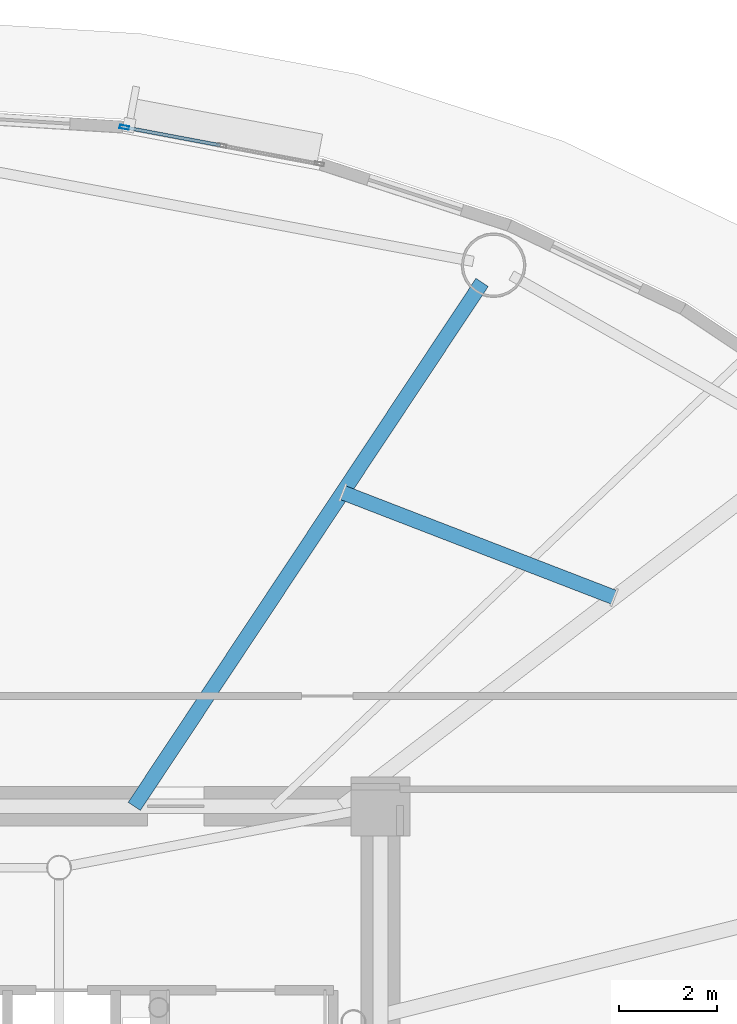
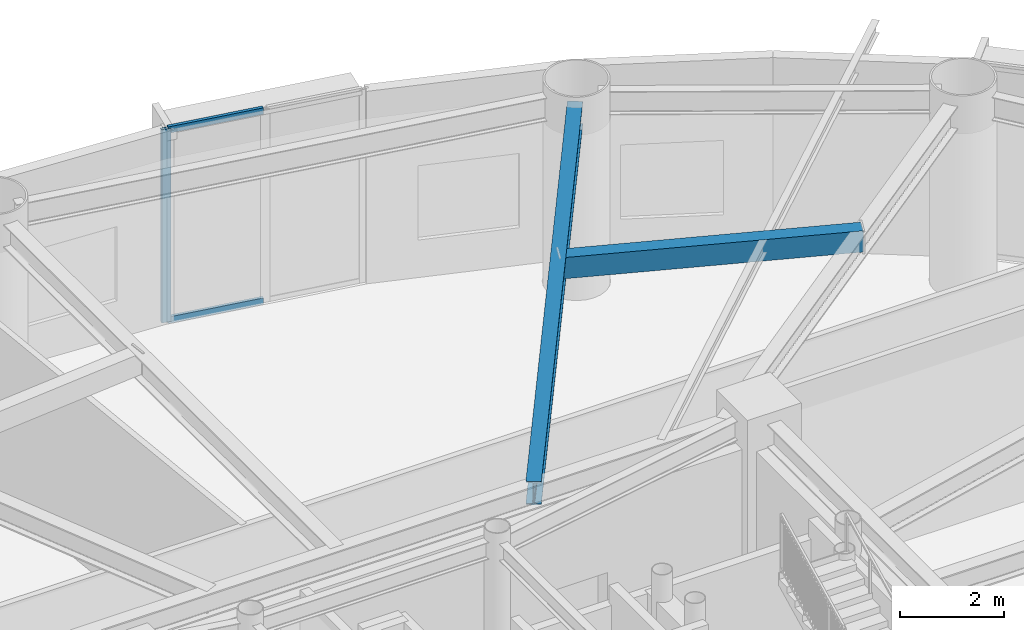
# One storey, part 20 of 38: 3 members, 2 beams, 1 element without a shape of its own.
"""IFC4 building model written with IfcOpenShell, lengths in metres."""

from ifc_helpers import new_model, si_unit, direction, frame, origin, origin_2d, place, context, subcontext, project, spatial, hollow_rectangle, i_section, extrude, source, transform, mapped, material, layer, layer_set, material_profile, profile_set, type_object, element, aggregate, save


model = new_model("IFC4")

# Units and contexts
model_context = context("Model", 3, precision=1e-05, world=origin(), true_north=direction((0.0, 1.0)))
body_context = subcontext(model_context, "Body", "Model", "MODEL_VIEW")
ifc_project = project(units=[si_unit("LENGTHUNIT", "METRE"), si_unit("AREAUNIT", "SQUARE_METRE"), si_unit("VOLUMEUNIT", "CUBIC_METRE"), si_unit("PLANEANGLEUNIT", "RADIAN"), si_unit("MASSUNIT", "GRAM", prefix="KILO")], contexts=[model_context])

# Site, building, storey
site_placement = place(None, origin())
site = spatial("IfcSite", under=ifc_project, at=site_placement, CompositionType="ELEMENT")
building_placement = place(site_placement, origin())
building = spatial("IfcBuilding", under=site, at=building_placement, Name="Linh Dai School and Residence Tower", CompositionType="ELEMENT")
storey_placement = place(building_placement, frame((0.0, 0.0, 151.35009765625)))
storey = spatial("IfcBuildingStorey", under=building, at=storey_placement, Name="L36", CompositionType="ELEMENT", Elevation=151.35009765625)

# Beams
ifc_material_1 = material(Name="Structural Steel S355JR", Category="steel")
ifc_material_profile_1 = material_profile(ifc_material_1, hollow_rectangle(XDim=0.300048828125, YDim=0.5, WallThickness=0.01611328125, at=origin_2d()), Name="RHS 500x300x16")
ifc_profile_set_1 = profile_set([ifc_material_profile_1], Name="Structural Steel S355JR")
beam_type_1 = type_object("IfcBeamType", Name="BM-BX5", PredefinedType="BEAM", material=ifc_profile_set_1)
beam_1_placement = place(storey_placement, frame((50.1640625, 37.860107421875, 4.2998046875), z_axis=(-0.932827710026, 0.360322721193, 0.0), x_axis=(-0.360322721193, -0.932827710026, 0.0)))
element("IfcBeam", 1, at=beam_1_placement, inside=storey, type_object=beam_type_1, Name="L36 Secondary Circumferential Floor Beam 02", PredefinedType="BEAM", context=body_context, shape_type="SweptSolid", body=[
    extrude(hollow_rectangle(XDim=0.300048828125, YDim=0.5, WallThickness=0.01611328125, at=origin_2d()), origin(), (0.0, 0.0, 1.0), 5.927978515625),
])
ifc_material_profile_2 = material_profile(ifc_material_1, i_section(OverallWidth=0.300048828125, OverallDepth=0.550048828125, WebThickness=0.014892578125, FlangeThickness=0.029052734375, FilletRadius=0.027099609375, at=origin_2d()), Name="HEB 550")
ifc_profile_set_2 = profile_set([ifc_material_profile_2], Name="Structural Steel S355JR")
beam_type_2 = type_object("IfcBeamType", Name="BM-RG55", PredefinedType="BEAM", material=ifc_profile_set_2)
beam_2_placement = place(storey_placement, frame((40.3818359375, 33.60009765625, 4.27490234375), z_axis=(0.553117176317, 0.833103468522, 0.0), x_axis=(-0.833103468522, 0.553117176317, 0.0)))
element("IfcBeam", 2, at=beam_2_placement, inside=storey, type_object=beam_type_2, Name="L36 Primary Radial Floor Girder 04", PredefinedType="BEAM", context=body_context, shape_type="SweptSolid", body=[
    extrude(i_section(OverallWidth=0.300048828125, OverallDepth=0.550048828125, WebThickness=0.014892578125, FlangeThickness=0.029052734375, FilletRadius=0.027099609375, at=origin_2d()), origin(), (0.0, 0.0, 1.0), 12.820556640625),
])

# Curtain wall, members
ifc_material_2 = material(Name="Aluminium Anodised Curtain Wall", Category="aluminium")
ifc_layer = layer(ifc_material_2, 0.18994140625)
ifc_layer_set = layer_set([ifc_layer], Name="Aluminium Anodised Curtain Wall")
curtain_wall_type = type_object("IfcCurtainWallType", Name="CW-SYS-5", PredefinedType="USERDEFINED", material=ifc_layer_set)
curtain_wall_placement = place(storey_placement, origin())
curtain_wall = element("IfcCurtainWall", 3, at=curtain_wall_placement, inside=storey, type_object=curtain_wall_type, Name="L36 CW5 Curtain Wall 09", ObjectType="UNITISED CURTAIN WALL", PredefinedType="USERDEFINED")
ifc_material_3 = material(Name="Aluminium Alloy 6063-T6", Category="aluminium")
ifc_material_profile_3 = material_profile(ifc_material_3, hollow_rectangle(XDim=0.070068359375, YDim=0.18994140625, WallThickness=0.00390625, at=origin_2d()), Name="RHS 190x70x4")
ifc_profile_set_3 = profile_set([ifc_material_profile_3], Name="Aluminium Alloy 6063-T6")
member_type_1 = type_object("IfcMemberType", Name="CW-SYS-5-MUL", PredefinedType="MULLION", material=ifc_profile_set_3)
shared_shape_1 = source(origin(), body_context, "Body", "SweptSolid", [
    extrude(hollow_rectangle(XDim=0.070068359375, YDim=0.18994140625, WallThickness=0.00390625, at=origin_2d()), origin(), (0.0, 0.0, 1.0), 4.5498046875),
])
member_1_placement = place(storey_placement, frame((40.18017578125, 47.443115234375, 0.0), z_axis=(0.0, 0.0, 1.0), x_axis=(0.184762540184, 0.982783192645, 0.0)))
member_1 = element("IfcMember", 4, at=member_1_placement, type_object=member_type_1, Name="CW5 mullion 1", PredefinedType="MULLION", context=body_context, shape_type="MappedRepresentation", body=[
    mapped(shared_shape_1, transform((0.0, 0.0, 0.0), x_axis=(1.0, 0.0, 0.0), y_axis=(0.0, 1.0, 0.0), z_axis=(0.0, 0.0, 1.0), scale=1.0)),
])
ifc_material_profile_4 = material_profile(ifc_material_3, hollow_rectangle(XDim=0.070068359375, YDim=0.14990234375, WallThickness=0.00390625, at=origin_2d()), Name="RHS 150x70x4")
ifc_profile_set_4 = profile_set([ifc_material_profile_4], Name="Aluminium Alloy 6063-T6")
member_type_2 = type_object("IfcMemberType", Name="CW-SYS-5-TRN", PredefinedType="USERDEFINED", material=ifc_profile_set_4)
shared_shape_2 = source(origin(), body_context, "Body", "SweptSolid", [
    extrude(hollow_rectangle(XDim=0.070068359375, YDim=0.14990234375, WallThickness=0.00390625, at=origin_2d()), origin(), (0.0, 0.0, 1.0), 1.9521484375),
])
member_2_placement = place(storey_placement, frame((40.214599609375, 47.4365234375, 0.034912109375), z_axis=(0.98278996876, -0.184726493237, 0.0), x_axis=(0.184726493237, 0.98278996876, 0.0)))
member_2 = element("IfcMember", 5, at=member_2_placement, type_object=member_type_2, Name="CW5 transom 1.1", ObjectType="TRANSOM", PredefinedType="USERDEFINED", context=body_context, shape_type="MappedRepresentation", body=[
    mapped(shared_shape_2, transform((0.0, 0.0, 0.0), x_axis=(1.0, 0.0, 0.0), y_axis=(0.0, 1.0, 0.0), z_axis=(0.0, 0.0, 1.0), scale=1.0)),
])
member_3_placement = place(storey_placement, frame((40.214599609375, 47.4365234375, 4.514892578125), z_axis=(0.98278996876, -0.184726493237, 0.0), x_axis=(0.184726493237, 0.98278996876, 0.0)))
member_3 = element("IfcMember", 6, at=member_3_placement, type_object=member_type_2, Name="CW5 transom 1.2", ObjectType="TRANSOM", PredefinedType="USERDEFINED", context=body_context, shape_type="MappedRepresentation", body=[
    mapped(shared_shape_2, transform((0.0, 0.0, 0.0), x_axis=(1.0, 0.0, 0.0), y_axis=(0.0, 1.0, 0.0), z_axis=(0.0, 0.0, 1.0), scale=1.0)),
])
aggregate(curtain_wall, [member_1, member_2, member_3])

save(model, "model.ifc")
